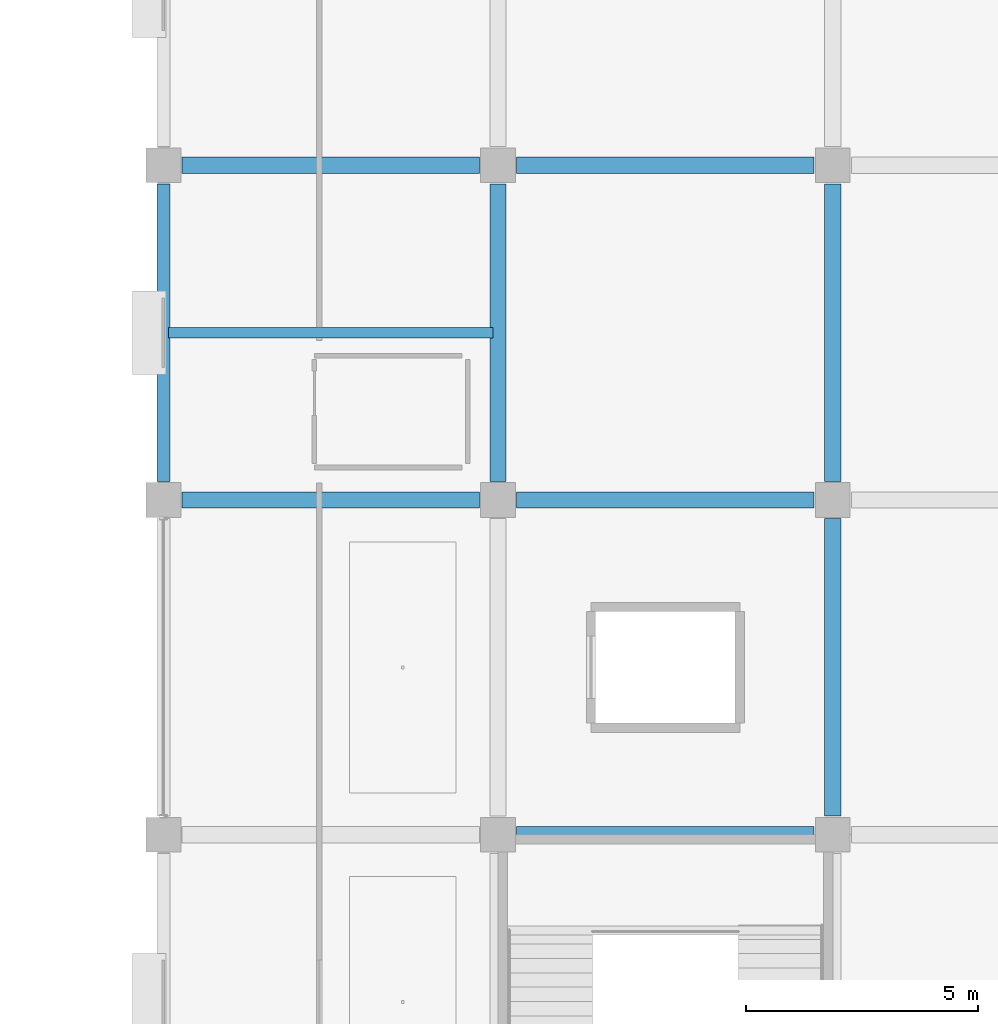
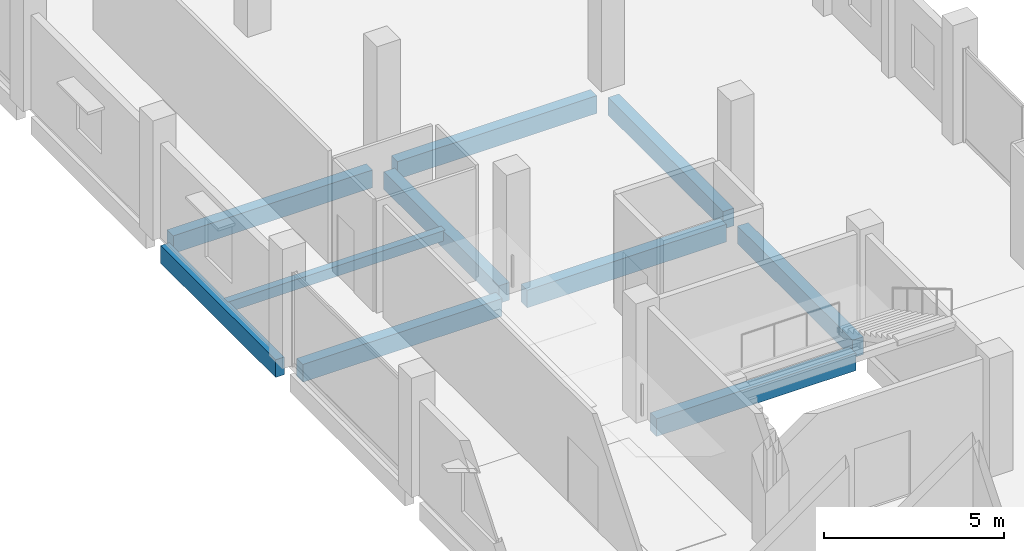
# One storey, part 50 of 108: 10 beams.
"""IFC4 building model written with IfcOpenShell, lengths in metres."""

import ifcopenshell
import ifcopenshell.guid

model = None  # the IFC model being written
_history = None  # IfcOwnerHistory: only IFC2X3 demands one
_inside = {}  # id of a spatial element -> (the spatial element, [elements in it])
_under = {}  # id of a project, library or spatial element -> (it, [spatial elements below it])
_declared = {}  # id of a project -> (the project, [libraries it declares])
_typed = {}  # id of a type object -> (the type object, [elements of that type])
_made_of = {}  # id of a material, layer set ... -> (it, [elements and type objects made of it])


def new_model(schema):
    """Start an empty IFC model of exactly this schema.

    Asked for "IFC4X3", IfcOpenShell would pick the latest addendum, in which some entities
    have other attributes; the version numbers below select the first issue.
    IFC2X3 requires an IfcOwnerHistory on every rooted entity: one is made here for all.
    """
    global model, _history
    if schema == "IFC4X3":
        model = ifcopenshell.file(schema_version=(4, 3, 0, 0))
    else:
        model = ifcopenshell.file(schema=schema)
    _inside.clear()
    _under.clear()
    _declared.clear()
    _typed.clear()
    _made_of.clear()
    _history = None
    if model.schema == "IFC2X3":
        org = make("IfcOrganization", Name="unknown")
        user = make(
            "IfcPersonAndOrganization",
            ThePerson=make("IfcPerson", FamilyName="unknown"),
            TheOrganization=org,
        )
        app = make(
            "IfcApplication",
            ApplicationDeveloper=org,
            Version="unknown",
            ApplicationFullName="unknown",
            ApplicationIdentifier="unknown",
        )
        _history = make(
            "IfcOwnerHistory",
            OwningUser=user,
            OwningApplication=app,
            ChangeAction="ADDED",
            CreationDate=0,
        )
    return model


def make(cls, **values):
    """One entity of the class cls with the attributes given. An attribute that is None is left unset."""
    return model.create_entity(
        cls, **{name: value for name, value in values.items() if value is not None}
    )


def rooted(cls, **values):
    """An entity with a GlobalId (a new one), such as an element, a storey or a relation."""
    return make(cls, GlobalId=ifcopenshell.guid.new(), OwnerHistory=_history, **values)


def si_unit(unit_type, name, prefix=None):
    """IfcSIUnit, for example si_unit("LENGTHUNIT", "METRE", prefix="MILLI")."""
    return make("IfcSIUnit", UnitType=unit_type, Prefix=prefix, Name=name)


def assignment(units):
    """IfcUnitAssignment: the units of a project."""
    return None if units is None else make("IfcUnitAssignment", Units=units)


def point(xyz):
    """IfcCartesianPoint."""
    return None if xyz is None else make("IfcCartesianPoint", Coordinates=xyz)


def direction(xyz):
    """IfcDirection."""
    return None if xyz is None else make("IfcDirection", DirectionRatios=xyz)


def frame(location, z_axis=None, x_axis=None):
    """IfcAxis2Placement3D, a coordinate frame: its origin and axes. An axis left out is left unset."""
    return make(
        "IfcAxis2Placement3D",
        Location=point(location),
        Axis=direction(z_axis),
        RefDirection=direction(x_axis),
    )


def frame_2d(location, x_axis=None):
    """IfcAxis2Placement2D, a coordinate frame in the plane: its origin and x axis."""
    return make(
        "IfcAxis2Placement2D", Location=point(location), RefDirection=direction(x_axis)
    )


def origin():
    """The frame at (0, 0, 0) with its axes left unset."""
    return frame((0.0, 0.0, 0.0))


def origin_2d():
    """The frame at (0, 0) in the plane with its x axis left unset."""
    return frame_2d((0.0, 0.0))


def place(relative_to, where):
    """IfcLocalPlacement: puts the frame where relative to a parent placement (None: the world)."""
    return make(
        "IfcLocalPlacement", PlacementRelTo=relative_to, RelativePlacement=where
    )


def context(
    kind, dimensions, precision=None, world=None, true_north=None, identifier=None
):
    """IfcGeometricRepresentationContext, for example the 3D "Model" context."""
    return make(
        "IfcGeometricRepresentationContext",
        ContextIdentifier=identifier,
        ContextType=kind,
        CoordinateSpaceDimension=dimensions,
        Precision=precision,
        WorldCoordinateSystem=world,
        TrueNorth=true_north,
    )


def subcontext(parent, identifier, kind, view, scale=None):
    """IfcGeometricRepresentationSubContext, for example "Body" below "Model"."""
    return make(
        "IfcGeometricRepresentationSubContext",
        ContextIdentifier=identifier,
        ContextType=kind,
        ParentContext=parent,
        TargetScale=scale,
        TargetView=view,
    )


def project(units=None, contexts=None):
    """IfcProject with its units and contexts."""
    return rooted(
        "IfcProject",
        Name="project",
        RepresentationContexts=contexts,
        UnitsInContext=assignment(units),
    )


def spatial(cls, under=None, at=None, **own):
    """A site, building, storey or space (cls), placed at a placement, below another one or the project."""
    s = rooted(cls, ObjectPlacement=at, **own)
    if under is not None:
        _under.setdefault(under.id(), (under, []))[1].append(s)
    return s


def profile(cls, at=None, kind="AREA", **sizes):
    """A parametric profile (cls). Its sizes go by their IFC names, for example OverallWidth=200.0."""
    return make(cls, ProfileType=kind, Position=at, **sizes)


def rectangle(**sizes):
    """IfcRectangleProfileDef."""
    return profile("IfcRectangleProfileDef", **sizes)


def extrude(swept, where, along, depth):
    """IfcExtrudedAreaSolid: the profile swept, set in the frame where, extruded along a direction by depth."""
    return make(
        "IfcExtrudedAreaSolid",
        SweptArea=swept,
        Position=where,
        ExtrudedDirection=direction(along),
        Depth=depth,
    )


def shape(context_of_items, identifier, shape_type, items):
    """IfcShapeRepresentation: the items that make up one representation, for example the "Body"."""
    return make(
        "IfcShapeRepresentation",
        ContextOfItems=context_of_items,
        RepresentationIdentifier=identifier,
        RepresentationType=shape_type,
        Items=items,
    )


def material(Name=None, Category=None):
    """IfcMaterial."""
    return make("IfcMaterial", Name=Name, Category=Category)


def material_profile(
    of_material, cross_section, Name=None, Category=None, Priority=None
):
    """IfcMaterialProfile: a cross section and its material."""
    return make(
        "IfcMaterialProfile",
        Name=Name,
        Material=of_material,
        Profile=cross_section,
        Priority=Priority,
        Category=Category,
    )


def profile_set(profiles, Name=None, composite=None):
    """IfcMaterialProfileSet."""
    return make(
        "IfcMaterialProfileSet",
        Name=Name,
        MaterialProfiles=profiles,
        CompositeProfile=composite,
    )


def made_of(thing, what):
    """Note that an element or type object is made of a material, layer set ...; save() writes the relation."""
    if what is not None:
        _made_of.setdefault(what.id(), (what, []))[1].append(thing)
    return thing


def type_object(cls, material=None, **own):
    """A type object (cls), such as IfcWallType, which elements share."""
    return made_of(rooted(cls, **own), material)


def element(
    cls,
    number,
    at=None,
    inside=None,
    cuts=None,
    type_object=None,
    material=None,
    context=None,
    identifier="Body",
    shape_type=None,
    held_by="IfcProductDefinitionShape",
    body=None,
    shapes=None,
    **own,
):
    """One element of the class cls, such as IfcWall. Its Tag is "e" and its number.

    at: its placement. inside: the storey or other place that contains it. cuts: it is an
    opening in that element (IfcRelVoidsElement). A single representation is given by context,
    identifier, shape_type and body (its items); several are given by shapes. held_by: the class
    of the entity that holds the representations. save() writes the other relations.
    """
    e = rooted(cls, Tag="e%d" % number, ObjectPlacement=at, **own)
    if body is not None:
        shapes = [shape(context, identifier, shape_type, body)]
    if shapes is not None:
        e.Representation = make(held_by, Representations=shapes)
    if inside is not None:
        _inside.setdefault(inside.id(), (inside, []))[1].append(e)
    if cuts is not None:
        rooted(
            "IfcRelVoidsElement", RelatingBuildingElement=cuts, RelatedOpeningElement=e
        )
    if type_object is not None:
        _typed.setdefault(type_object.id(), (type_object, []))[1].append(e)
    return made_of(e, material)


def aggregate(whole, parts):
    """IfcRelAggregates: a whole, such as a stair, and the parts it consists of."""
    return rooted("IfcRelAggregates", RelatingObject=whole, RelatedObjects=parts)


def save(model, path):
    """Write the relations noted so far, then the file.

    IfcRelAggregates (storeys below a building ...), IfcRelContainedInSpatialStructure (elements
    in a storey), IfcRelDefinesByType, IfcRelAssociatesMaterial and IfcRelDeclares: one each for
    every whole, place, type object, material and project.
    """
    for whole, parts in _under.values():
        aggregate(whole, parts)
    for where, things in _inside.values():
        rooted(
            "IfcRelContainedInSpatialStructure",
            RelatedElements=things,
            RelatingStructure=where,
        )
    for kind, things in _typed.values():
        rooted("IfcRelDefinesByType", RelatedObjects=things, RelatingType=kind)
    for what, things in _made_of.values():
        rooted("IfcRelAssociatesMaterial", RelatedObjects=things, RelatingMaterial=what)
    for by, libraries in _declared.values():
        rooted("IfcRelDeclares", RelatingContext=by, RelatedDefinitions=libraries)
    model.write(path)


model = new_model("IFC4")

# Units and contexts
model_context = context("Model", 3, precision=1e-05, world=origin(), true_north=direction((0.0, 1.0)))
body_context = subcontext(model_context, "Body", "Model", "MODEL_VIEW")
ifc_project = project(units=[si_unit("LENGTHUNIT", "METRE"), si_unit("AREAUNIT", "SQUARE_METRE"), si_unit("VOLUMEUNIT", "CUBIC_METRE"), si_unit("PLANEANGLEUNIT", "RADIAN"), si_unit("MASSUNIT", "GRAM", prefix="KILO")], contexts=[model_context])

# Site, building, storey
site_placement = place(None, origin())
site = spatial("IfcSite", under=ifc_project, at=site_placement, CompositionType="ELEMENT")
building_placement = place(site_placement, origin())
building = spatial("IfcBuilding", under=site, at=building_placement, Name="Kangsadwip Square Police Headquarters", CompositionType="ELEMENT")
storey_placement = place(building_placement, frame((0.0, 0.0, 9.449951171875)))
storey = spatial("IfcBuildingStorey", under=building, at=storey_placement, Name="L02", CompositionType="ELEMENT", Elevation=9.449951171875)

# Beams
ifc_material_1 = material(Name="Concrete M35 (35 MPa)", Category="concrete")
ifc_material_profile_1 = material_profile(ifc_material_1, rectangle(XDim=0.35009765625, YDim=0.60009765625, at=origin_2d()), Name="RC BM 600X350")
ifc_profile_set_1 = profile_set([ifc_material_profile_1], Name="Concrete M35 (35 MPa)")
beam_type_1 = type_object("IfcBeamType", Name="RcBeam600x350", PredefinedType="BEAM", material=ifc_profile_set_1)
beam_1_placement = place(storey_placement, frame((151.60009765625, 64.800048828125, -0.5400390625), z_axis=(1.0, 0.0, 0.0), x_axis=(0.0, 1.0, 0.0)))
element("IfcBeam", 1, at=beam_1_placement, inside=storey, type_object=beam_type_1, Name="Beam BM-L02-X-21-09", PredefinedType="BEAM", context=body_context, shape_type="SweptSolid", body=[
    extrude(rectangle(XDim=0.35009765625, YDim=0.60009765625, at=origin_2d()), origin(), (0.0, 0.0, 1.0), 6.39990234375),
])
beam_2_placement = place(storey_placement, frame((144.39990234375, 72.0, -0.5400390625), z_axis=(1.0, 0.0, 0.0), x_axis=(0.0, 1.0, 0.0)))
element("IfcBeam", 2, at=beam_2_placement, inside=storey, type_object=beam_type_1, Name="Beam BM-L02-X-20-10", PredefinedType="BEAM", context=body_context, shape_type="SweptSolid", body=[
    extrude(rectangle(XDim=0.35009765625, YDim=0.60009765625, at=origin_2d()), origin(), (0.0, 0.0, 1.0), 6.400146484375),
])
beam_3_placement = place(storey_placement, frame((151.60009765625, 72.0, -0.5400390625), z_axis=(1.0, 0.0, 0.0), x_axis=(0.0, 1.0, 0.0)))
element("IfcBeam", 3, at=beam_3_placement, inside=storey, type_object=beam_type_1, Name="Beam BM-L02-X-21-10", PredefinedType="BEAM", context=body_context, shape_type="SweptSolid", body=[
    extrude(rectangle(XDim=0.35009765625, YDim=0.60009765625, at=origin_2d()), origin(), (0.0, 0.0, 1.0), 6.39990234375),
])
beam_4_placement = place(storey_placement, frame((144.39990234375, 79.199951171875, -0.5400390625), z_axis=(1.0, 0.0, 0.0), x_axis=(0.0, 1.0, 0.0)))
element("IfcBeam", 4, at=beam_4_placement, inside=storey, type_object=beam_type_1, Name="Beam BM-L02-X-20-11", PredefinedType="BEAM", context=body_context, shape_type="SweptSolid", body=[
    extrude(rectangle(XDim=0.35009765625, YDim=0.60009765625, at=origin_2d()), origin(), (0.0, 0.0, 1.0), 6.400146484375),
])
beam_5_placement = place(storey_placement, frame((151.60009765625, 79.199951171875, -0.5400390625), z_axis=(1.0, 0.0, 0.0), x_axis=(0.0, 1.0, 0.0)))
element("IfcBeam", 5, at=beam_5_placement, inside=storey, type_object=beam_type_1, Name="Beam BM-L02-X-21-11", PredefinedType="BEAM", context=body_context, shape_type="SweptSolid", body=[
    extrude(rectangle(XDim=0.35009765625, YDim=0.60009765625, at=origin_2d()), origin(), (0.0, 0.0, 1.0), 6.39990234375),
])
for number, where, z_axis, x_axis, name in (
    (6, (151.199951171875, 72.39990234375, -0.5400390625), (0.0, 1.0, 0.0), (-1.0, 0.0, 0.0), "Beam BM-L02-Y-21-10"),
    (7, (158.39990234375, 65.199951171875, -0.5400390625), (0.0, 1.0, 0.0), (-1.0, 0.0, 0.0), "Beam BM-L02-Y-22-09"),
    (8, (158.39990234375, 72.39990234375, -0.5400390625), (0.0, 1.0, 0.0), (-1.0, 0.0, 0.0), "Beam BM-L02-Y-22-10"),
):
    element("IfcBeam", number, at=place(storey_placement, frame(where, z_axis=z_axis, x_axis=x_axis)), inside=storey, type_object=beam_type_1, Name=name, PredefinedType="BEAM", context=body_context, shape_type="SweptSolid", body=[
        extrude(rectangle(XDim=0.35009765625, YDim=0.60009765625, at=origin_2d()), origin(), (0.0, 0.0, 1.0), 6.400146484375),
    ])
ifc_material_2 = material(Name="Concrete M35 (35 MPa)", Category="concrete")
ifc_material_profile_2 = material_profile(ifc_material_2, rectangle(XDim=0.22998046875, YDim=0.35009765625, at=origin_2d()), Name="RC JST 350X230")
ifc_profile_set_2 = profile_set([ifc_material_profile_2], Name="Concrete M35 (35 MPa)")
beam_type_2 = type_object("IfcBeamType", Name="RcJoist350x230", PredefinedType="JOIST", material=ifc_profile_set_2)
beam_6_placement = place(storey_placement, frame((144.110107421875, 75.60009765625, -0.4150390625), z_axis=(1.0, 0.0, 0.0), x_axis=(0.0, 1.0, 0.0)))
element("IfcBeam", 9, at=beam_6_placement, inside=storey, type_object=beam_type_2, Name="Secondary Joist JST-L02-20-10", PredefinedType="JOIST", context=body_context, shape_type="SweptSolid", body=[
    extrude(rectangle(XDim=0.22998046875, YDim=0.35009765625, at=origin_2d()), origin(), (0.0, 0.0, 1.0), 6.97998046875),
])
ifc_material_3 = material(Name="Concrete M40 (40 MPa)", Category="concrete")
ifc_material_profile_3 = material_profile(ifc_material_3, rectangle(XDim=0.280029296875, YDim=0.60009765625, at=origin_2d()), Name="RC SPN 600X280")
ifc_profile_set_3 = profile_set([ifc_material_profile_3], Name="Concrete M40 (40 MPa)")
beam_type_3 = type_object("IfcBeamType", Name="RcSpandrel600x280", PredefinedType="SPANDREL", material=ifc_profile_set_3)
beam_7_placement = place(storey_placement, frame((144.0, 72.39990234375, -0.5400390625), z_axis=(0.0, 1.0, 0.0), x_axis=(-1.0, 0.0, 0.0)))
element("IfcBeam", 10, at=beam_7_placement, inside=storey, type_object=beam_type_3, Name="Beam BM-L02-Y-20-10", PredefinedType="SPANDREL", context=body_context, shape_type="SweptSolid", body=[
    extrude(rectangle(XDim=0.280029296875, YDim=0.60009765625, at=origin_2d()), origin(), (0.0, 0.0, 1.0), 6.400146484375),
])

save(model, "model.ifc")
